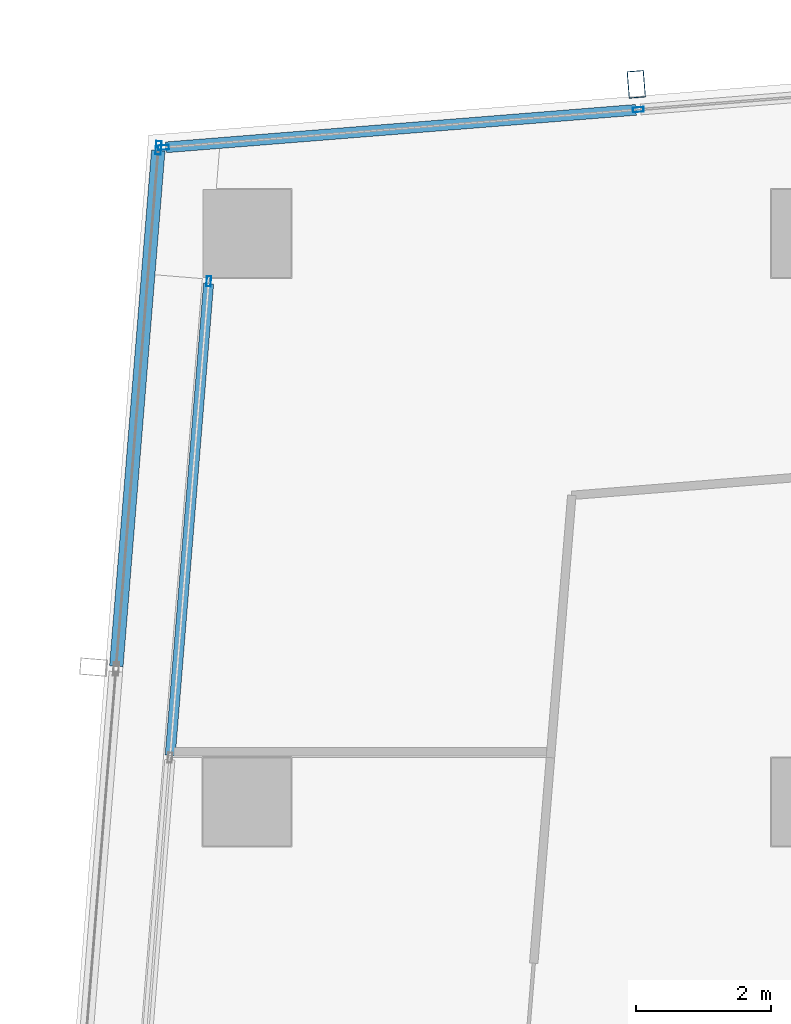
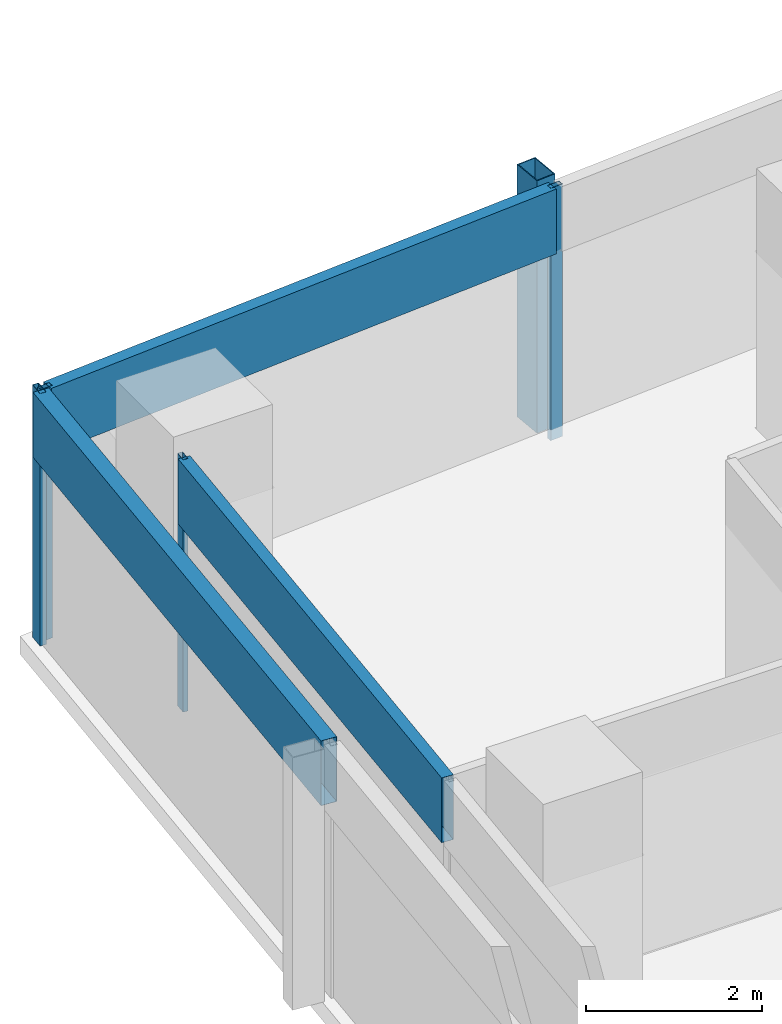
# One storey, part 15 of 29: 8 members, 3 elements without a shape of their own.
"""IFC4 building model written with IfcOpenShell, lengths in metres."""

from ifc_helpers import new_model, si_unit, direction, frame, origin, origin_2d, place, context, subcontext, project, spatial, hollow_rectangle, extrude, material, material_profile, profile_set, type_object, element, aggregate, save


model = new_model("IFC4")

# Units and contexts
model_context = context("Model", 3, precision=1e-05, world=origin(), true_north=direction((0.0, 1.0)))
body_context = subcontext(model_context, "Body", "Model", "MODEL_VIEW")
ifc_project = project(units=[si_unit("LENGTHUNIT", "METRE"), si_unit("AREAUNIT", "SQUARE_METRE"), si_unit("VOLUMEUNIT", "CUBIC_METRE"), si_unit("PLANEANGLEUNIT", "RADIAN"), si_unit("MASSUNIT", "GRAM", prefix="KILO")], contexts=[model_context])

# Site, building, storey
site_placement = place(None, origin())
site = spatial("IfcSite", under=ifc_project, at=site_placement, CompositionType="ELEMENT")
building_placement = place(site_placement, origin())
building = spatial("IfcBuilding", under=site, at=building_placement, Name="Rekha Terrace Tower", CompositionType="ELEMENT")
storey_placement = place(building_placement, frame((0.0, 0.0, 276.35009765625)))
storey = spatial("IfcBuildingStorey", under=building, at=storey_placement, Name="L70", CompositionType="ELEMENT", Elevation=276.35009765625)

# Curtain wall, member
ifc_material_1 = material(Name="Aluminium framing", Category="aluminium")
curtain_wall_type_1 = type_object("IfcCurtainWallType", Name="CW3 north unitised glazing", PredefinedType="USERDEFINED", material=ifc_material_1)
curtain_wall_1_placement = place(storey_placement, origin())
curtain_wall_1 = element("IfcCurtainWall", 1, at=curtain_wall_1_placement, inside=storey, type_object=curtain_wall_type_1, Name="CW3 unitised curtain wall", ObjectType="UNITISED CURTAIN WALL", PredefinedType="USERDEFINED")
ifc_material_2 = material(Name="Steel S355 with fluorocarbon finish", Category="steel")
ifc_material_profile_1 = material_profile(ifc_material_2, hollow_rectangle(XDim=0.25, YDim=0.39990234375, WallThickness=0.012451171875, at=origin_2d()), Name="RHS400x250x12.5")
ifc_profile_set_1 = profile_set([ifc_material_profile_1], Name="Steel S355 with fluorocarbon finish")
member_type_1 = type_object("IfcMemberType", Name="BL1 facade blade RHS 400 x 250", PredefinedType="USERDEFINED", material=ifc_profile_set_1)
member_1_placement = place(storey_placement, frame((14.1513671875, 52.599853515625, 0.0), z_axis=(0.0, 0.0, 1.0), x_axis=(-0.996836012392, -0.079485623849, 0.0)))
member_1 = element("IfcMember", 2, at=member_1_placement, type_object=member_type_1, Name="Facade blade", ObjectType="FACADE BLADE", PredefinedType="USERDEFINED", context=body_context, shape_type="SweptSolid", body=[
    extrude(hollow_rectangle(XDim=0.25, YDim=0.39990234375, WallThickness=0.012451171875, at=origin_2d()), origin(), (0.0, 0.0, 1.0), 3.5),
])

# Curtain wall, members
curtain_wall_type_2 = type_object("IfcCurtainWallType", Name="CW1 double skin inner glazing", PredefinedType="USERDEFINED", material=ifc_material_1)
curtain_wall_2_placement = place(storey_placement, origin())
curtain_wall_2 = element("IfcCurtainWall", 3, at=curtain_wall_2_placement, inside=storey, type_object=curtain_wall_type_2, Name="CW1 double skin inner glazing", ObjectType="DOUBLE SKIN INNER GLAZING", PredefinedType="USERDEFINED")
ifc_material_3 = material(Name="Aluminium mullion section", Category="aluminium")
ifc_material_profile_2 = material_profile(ifc_material_3, hollow_rectangle(XDim=0.06494140625, YDim=0.14990234375, WallThickness=0.00390625, at=origin_2d()), Name="AL RHS 65x150")
ifc_profile_set_2 = profile_set([ifc_material_profile_2], Name="Aluminium mullion section")
member_type_2 = type_object("IfcMemberType", Name="CW1 mullion RHS 65 x 150", PredefinedType="MULLION", material=ifc_profile_set_2)
member_2_placement = place(storey_placement, frame((7.837890625, 49.690185546875, 0.0), z_axis=(0.0, 0.0, 1.0), x_axis=(0.996708580524, -0.081067906781, 0.0)))
member_2 = element("IfcMember", 4, at=member_2_placement, type_object=member_type_2, Name="CW1 mullion 1", PredefinedType="MULLION", context=body_context, shape_type="SweptSolid", body=[
    extrude(hollow_rectangle(XDim=0.06494140625, YDim=0.14990234375, WallThickness=0.00390625, at=origin_2d()), origin(), (0.0, 0.0, 1.0), 3.5),
])
ifc_material_4 = material(Name="Insulated aluminium spandrel box", Category="aluminium")
ifc_material_profile_3 = material_profile(ifc_material_4, hollow_rectangle(XDim=0.14990234375, YDim=0.89990234375, WallThickness=0.0029296875, at=origin_2d()), Name="AL SPANDREL BOX 150x900")
ifc_profile_set_3 = profile_set([ifc_material_profile_3], Name="Insulated aluminium spandrel box")
member_type_3 = type_object("IfcMemberType", Name="CW1 spandrel transom 150 x 900", PredefinedType="USERDEFINED", material=ifc_profile_set_3)
member_3_placement = place(storey_placement, frame((7.835205078125, 49.65771484375, 3.0498046875), z_axis=(-0.081074618383, -0.996708034609, 0.0), x_axis=(0.996708034609, -0.081074618383, 0.0)))
member_3 = element("IfcMember", 5, at=member_3_placement, type_object=member_type_3, Name="CW1 spandrel transom 1", ObjectType="TRANSOM", PredefinedType="USERDEFINED", context=body_context, shape_type="SweptSolid", body=[
    extrude(hollow_rectangle(XDim=0.14990234375, YDim=0.89990234375, WallThickness=0.0029296875, at=origin_2d()), origin(), (0.0, 0.0, 1.0), 6.9921875),
])
aggregate(curtain_wall_2, [member_2, member_3])

curtain_wall_type_3 = type_object("IfcCurtainWallType", Name="CW2 double skin outer glazing", PredefinedType="USERDEFINED", material=ifc_material_1)
curtain_wall_3_placement = place(storey_placement, origin())
curtain_wall_3 = element("IfcCurtainWall", 6, at=curtain_wall_3_placement, inside=storey, type_object=curtain_wall_type_3, Name="CW2 double skin outer glazing", ObjectType="DOUBLE SKIN OUTER GLAZING", PredefinedType="USERDEFINED")
ifc_material_profile_4 = material_profile(ifc_material_3, hollow_rectangle(XDim=0.080078125, YDim=0.199951171875, WallThickness=0.00390625, at=origin_2d()), Name="AL RHS 80x200")
ifc_profile_set_4 = profile_set([ifc_material_profile_4], Name="Aluminium mullion section")
member_type_4 = type_object("IfcMemberType", Name="CW2 mullion RHS 80 x 200", PredefinedType="MULLION", material=ifc_profile_set_4)
member_4_placement = place(storey_placement, frame((7.09521484375, 51.661376953125, 0.0), z_axis=(0.0, 0.0, 1.0), x_axis=(0.996708580521, -0.081067906816, 0.0)))
member_4 = element("IfcMember", 7, at=member_4_placement, type_object=member_type_4, Name="CW2 mullion 1", PredefinedType="MULLION", context=body_context, shape_type="SweptSolid", body=[
    extrude(hollow_rectangle(XDim=0.080078125, YDim=0.199951171875, WallThickness=0.00390625, at=origin_2d()), origin(), (0.0, 0.0, 1.0), 3.5),
])
ifc_material_profile_5 = material_profile(ifc_material_4, hollow_rectangle(XDim=0.199951171875, YDim=0.89990234375, WallThickness=0.0029296875, at=origin_2d()), Name="AL SPANDREL BOX 200x900")
ifc_profile_set_5 = profile_set([ifc_material_profile_5], Name="Insulated aluminium spandrel box")
member_type_5 = type_object("IfcMemberType", Name="CW2 spandrel transom 200 x 900", PredefinedType="USERDEFINED", material=ifc_profile_set_5)
member_5_placement = place(storey_placement, frame((7.092041015625, 51.62158203125, 3.0498046875), z_axis=(-0.081093832935, -0.996706471465, 0.0), x_axis=(0.996706471465, -0.081093832935, 0.0)))
member_5 = element("IfcMember", 8, at=member_5_placement, type_object=member_type_5, Name="CW2 spandrel transom 1", ObjectType="TRANSOM", PredefinedType="USERDEFINED", context=body_context, shape_type="SweptSolid", body=[
    extrude(hollow_rectangle(XDim=0.199951171875, YDim=0.89990234375, WallThickness=0.0029296875, at=origin_2d()), origin(), (0.0, 0.0, 1.0), 7.640869140625),
])
aggregate(curtain_wall_3, [member_4, member_5])

# Member
ifc_material_profile_6 = material_profile(ifc_material_3, hollow_rectangle(XDim=0.070068359375, YDim=0.159912109375, WallThickness=0.00390625, at=origin_2d()), Name="AL RHS 70x160")
ifc_profile_set_6 = profile_set([ifc_material_profile_6], Name="Aluminium mullion section")
member_type_6 = type_object("IfcMemberType", Name="CW3 mullion RHS 70 x 160", PredefinedType="MULLION", material=ifc_profile_set_6)
member_6_placement = place(storey_placement, frame((14.18115234375, 52.22607421875, 0.0), z_axis=(0.0, 0.0, 1.0), x_axis=(0.07948505154, -0.996836058026, 0.0)))
member_6 = element("IfcMember", 9, at=member_6_placement, type_object=member_type_6, Name="CW3 mullion 3", PredefinedType="MULLION", context=body_context, shape_type="SweptSolid", body=[
    extrude(hollow_rectangle(XDim=0.070068359375, YDim=0.159912109375, WallThickness=0.00390625, at=origin_2d()), origin(), (0.0, 0.0, 1.0), 3.5),
])

member_7_placement = place(storey_placement, frame((7.17041015625, 51.6669921875, 0.0), z_axis=(0.0, 0.0, 1.0), x_axis=(0.07948505154, -0.996836058026, 0.0)))
member_7 = element("IfcMember", 10, at=member_7_placement, type_object=member_type_6, Name="CW3 mullion 4", PredefinedType="MULLION", context=body_context, shape_type="SweptSolid", body=[
    extrude(hollow_rectangle(XDim=0.070068359375, YDim=0.159912109375, WallThickness=0.00390625, at=origin_2d()), origin(), (0.0, 0.0, 1.0), 3.5),
])

ifc_material_profile_7 = material_profile(ifc_material_4, hollow_rectangle(XDim=0.159912109375, YDim=0.89990234375, WallThickness=0.0029296875, at=origin_2d()), Name="AL SPANDREL BOX 160x900")
ifc_profile_set_7 = profile_set([ifc_material_profile_7], Name="Insulated aluminium spandrel box")
member_type_7 = type_object("IfcMemberType", Name="CW3 spandrel transom 160 x 900", PredefinedType="USERDEFINED", material=ifc_profile_set_7)
member_8_placement = place(storey_placement, frame((14.146240234375, 52.22314453125, 3.0498046875), z_axis=(-0.996835870382, -0.079487404789, 0.0), x_axis=(0.079487404789, -0.996835870382, 0.0)))
member_8 = element("IfcMember", 11, at=member_8_placement, type_object=member_type_7, Name="CW3 spandrel transom 3", ObjectType="TRANSOM", PredefinedType="USERDEFINED", context=body_context, shape_type="SweptSolid", body=[
    extrude(hollow_rectangle(XDim=0.159912109375, YDim=0.89990234375, WallThickness=0.0029296875, at=origin_2d()), origin(), (0.0, 0.0, 1.0), 6.962890625),
])

aggregate(curtain_wall_1, [member_6, member_7, member_8, member_1])

save(model, "model.ifc")
